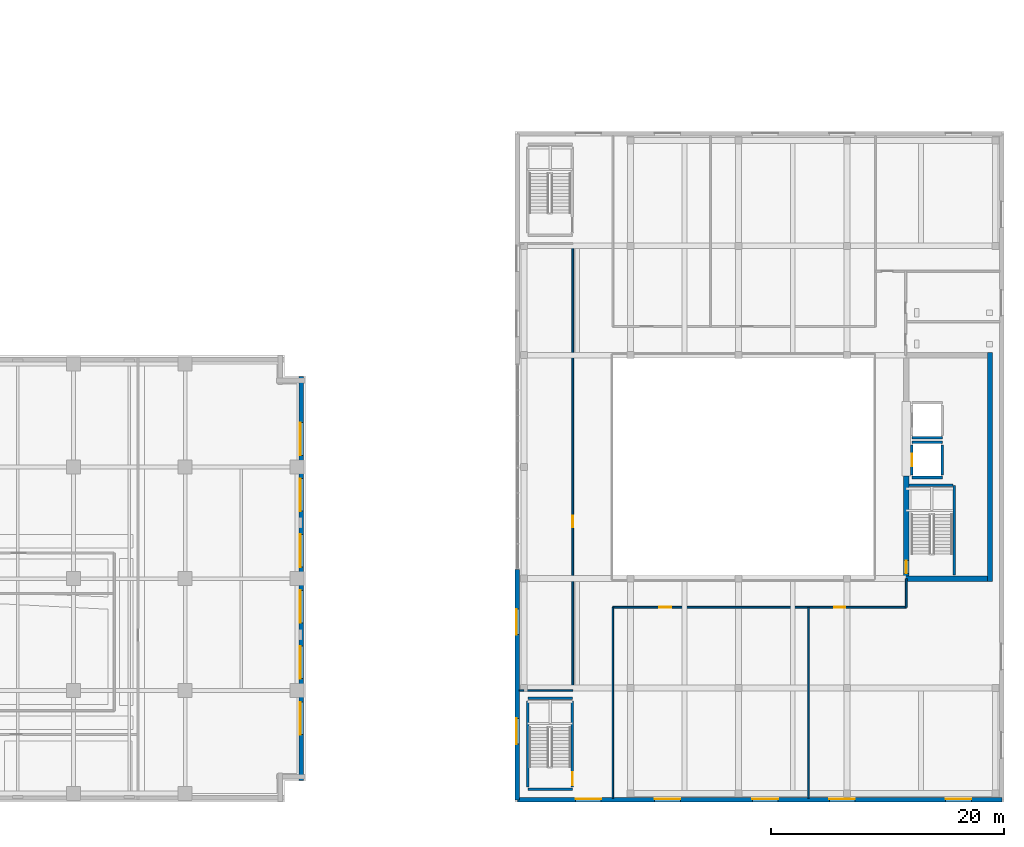
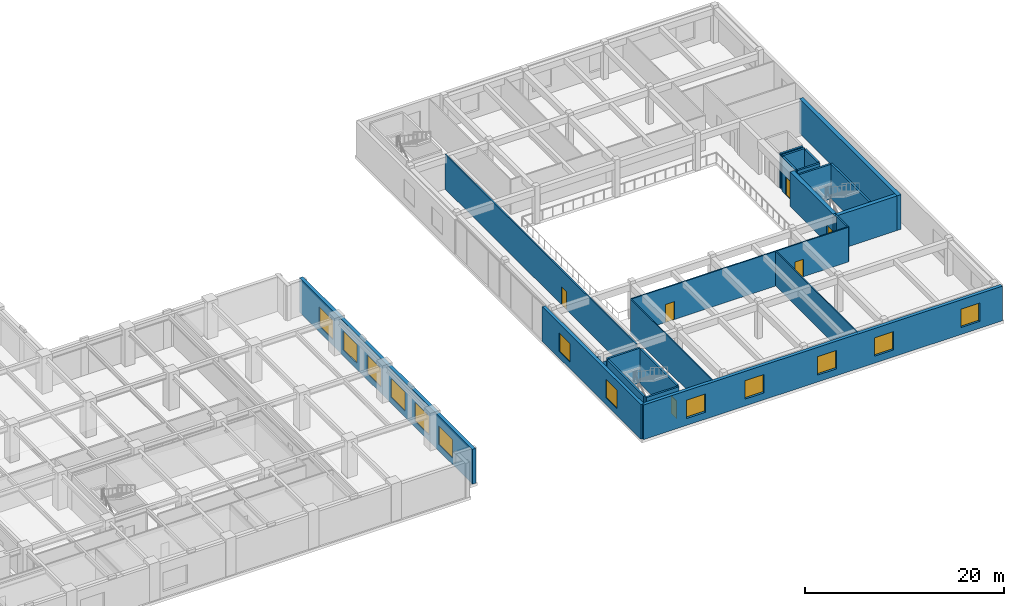
# One storey, part 9 of 24: 24 walls, 13 windows, 6 doors, 19 openings.
"""IFC4 building model written with IfcOpenShell, lengths in metres."""

from ifc_helpers import new_model, si_unit, direction, frame, frame_2d, origin, place, context, subcontext, project, spatial, rectangle, extrude, material, layer, layer_set, type_object, element, fill, save


model = new_model("IFC4")

# Units and contexts
model_context = context("Model", 3, precision=1e-05, world=origin(), true_north=direction((0.0, 1.0)))
body_context = subcontext(model_context, "Body", "Model", "MODEL_VIEW")
ifc_project = project(units=[si_unit("LENGTHUNIT", "METRE"), si_unit("AREAUNIT", "SQUARE_METRE"), si_unit("VOLUMEUNIT", "CUBIC_METRE"), si_unit("PLANEANGLEUNIT", "RADIAN"), si_unit("MASSUNIT", "GRAM", prefix="KILO")], contexts=[model_context])

# Site, building, storey
site_placement = place(None, origin())
site = spatial("IfcSite", under=ifc_project, at=site_placement, CompositionType="ELEMENT")
building_placement = place(site_placement, origin())
building = spatial("IfcBuilding", under=site, at=building_placement, Name="Norrvale University Quadrangle", CompositionType="ELEMENT")
storey_placement = place(building_placement, frame((0.0, 0.0, 10.39990234375)))
storey = spatial("IfcBuildingStorey", under=building, at=storey_placement, Name="L02", CompositionType="ELEMENT", Elevation=10.39990234375)

# Walls
ifc_material_1 = material(Name="Standard Academic Gypsum Partition")
ifc_layer_1 = layer(ifc_material_1, 0.125, Name="Standard Academic Gypsum Partition")
ifc_layer_set_1 = layer_set([ifc_layer_1], Name="Standard Academic Gypsum Partition")
wall_type_1 = type_object("IfcWallType", Name="Wall Gypsum Academic 125", PredefinedType="PARTITIONING", material=ifc_layer_set_1)
wall_1_placement = place(storey_placement, frame((85.550048828125, 9.60009765625, 0.0), z_axis=(0.0, 0.0, 1.0), x_axis=(1.0, 0.0, 0.0)))
element("IfcWall", 1, at=wall_1_placement, inside=storey, type_object=wall_type_1, Name="Interior Partition WL-L02-LWS", PredefinedType="PARTITIONING", context=body_context, shape_type="SweptSolid", body=[
    extrude(rectangle(XDim=0.39990234375, YDim=0.125, at=frame_2d((0.199951171875, 0.0))), origin(), (0.0, 0.0, 1.0), 4.25),
])
wall_2_placement = place(storey_placement, frame((85.949951171875, 9.60009765625, 0.0), z_axis=(0.0, 0.0, 1.0), x_axis=(1.0, 0.0, 0.0)))
element("IfcWall", 2, at=wall_2_placement, inside=storey, type_object=wall_type_1, Name="Interior Partition WL-L02-LWS-B2", PredefinedType="PARTITIONING", context=body_context, shape_type="SweptSolid", body=[
    extrude(rectangle(XDim=4.199951171875, YDim=0.125, at=frame_2d((2.10009765625, 0.0))), origin(), (0.0, 0.0, 1.0), 3.4501953125),
])
for number, where, z_axis, x_axis, name in (
    (3, (93.60009765625, 0.35009765625, 0.0), (0.0, 0.0, 1.0), (0.0, 1.0, 0.0), "Interior Partition WL-L02-LSS-W"),
    (4, (110.39990234375, 0.35009765625, 0.0), (0.0, 0.0, 1.0), (0.0, 1.0, 0.0), "Interior Partition WL-L02-LSS-M"),
):
    element("IfcWall", number, at=place(storey_placement, frame(where, z_axis=z_axis, x_axis=x_axis)), inside=storey, type_object=wall_type_1, Name=name, PredefinedType="PARTITIONING", context=body_context, shape_type="SweptSolid", body=[
        extrude(rectangle(XDim=16.389892578125, YDim=0.125, at=frame_2d((8.19482421875, 0.0))), origin(), (0.0, 0.0, 1.0), 4.25),
    ])

# Wall, opening, door
ifc_material_2 = material(Name="Fire-Rated Gypsum Stud Partition")
ifc_layer_2 = layer(ifc_material_2, 0.14990234375, Name="Fire-Rated Gypsum Stud Partition")
ifc_layer_set_2 = layer_set([ifc_layer_2], Name="Fire-Rated Gypsum Stud Partition")
wall_type_2 = type_object("IfcWallType", Name="Wall Gypsum Corridor 150", PredefinedType="PARTITIONING", material=ifc_layer_set_2)
wall_3_placement = place(storey_placement, frame((90.14990234375, 9.60009765625, 0.0), z_axis=(0.0, 0.0, 1.0), x_axis=(0.0, 1.0, 0.0)))
wall_3 = element("IfcWall", 5, at=wall_3_placement, inside=storey, type_object=wall_type_2, Name="Interior Partition WL-L02-LWE", PredefinedType="PARTITIONING", context=body_context, shape_type="SweptSolid", body=[
    extrude(rectangle(XDim=38.39990234375, YDim=0.14990234375, at=frame_2d((19.199951171875, 0.0))), origin(), (0.0, 0.0, 1.0), 4.25),
])
opening_1_placement = place(wall_3_placement, frame((14.0, 0.0, 0.0)))
opening_1 = element("IfcOpeningElement", 6, at=opening_1_placement, cuts=wall_3, Name="Opening D04", PredefinedType="OPENING", context=body_context, shape_type="SweptSolid", body=[
    extrude(rectangle(XDim=1.0, YDim=2.199951171875, at=frame_2d((0.5, 1.10009765625))), frame((0.0, 0.0869140625, 0.0), z_axis=(0.0, -1.0, 0.0), x_axis=(1.0, 0.0, 0.0)), (0.0, 0.0, 1.0), 0.173828125),
])
ifc_material_3 = material(Name="Solid-Core Oak Fire Door", Category="wood")
door_type_1 = type_object("IfcDoorType", Name="Door Corridor 1000x2200", OperationType="NOTDEFINED", PredefinedType="DOOR", material=ifc_material_3)
door_1_placement = place(opening_1_placement, origin())
door_1 = element("IfcDoor", 7, at=door_1_placement, inside=storey, type_object=door_type_1, Name="Door Corridor 1000x2200 DR-L02-LWCAR", OperationType="SINGLE_SWING_LEFT", OverallHeight=2.199951171875, OverallWidth=1.0, PredefinedType="DOOR", context=body_context, shape_type="SweptSolid", body=[
    extrude(rectangle(XDim=1.0, YDim=2.199951171875, at=frame_2d((0.5, 1.10009765625))), frame((0.0, 0.02490234375, 0.0), z_axis=(0.0, -1.0, 0.0), x_axis=(1.0, 0.0, 0.0)), (0.0, 0.0, 1.0), 0.050048828125),
])
fill(opening_1, door_1)

# Wall
wall_4_placement = place(storey_placement, frame((118.800048828125, 16.739990234375, 0.0), z_axis=(0.0, 0.0, 1.0), x_axis=(0.0, 1.0, 0.0)))
element("IfcWall", 8, at=wall_4_placement, inside=storey, type_object=wall_type_2, Name="Interior Partition WL-L02-LSS-E", PredefinedType="PARTITIONING", context=body_context, shape_type="SweptSolid", body=[
    extrude(rectangle(XDim=2.4599609375, YDim=0.14990234375, at=frame_2d((1.22998046875, 0.0))), origin(), (0.0, 0.0, 1.0), 4.25),
])

# Wall, openings, doors
wall_5_placement = place(storey_placement, frame((93.60009765625, 16.739990234375, 0.0), z_axis=(0.0, 0.0, 1.0), x_axis=(1.0, 0.0, 0.0)))
wall_5 = element("IfcWall", 9, at=wall_5_placement, inside=storey, type_object=wall_type_2, Name="Interior Partition WL-L02-LSS-N", PredefinedType="PARTITIONING", context=body_context, shape_type="SweptSolid", body=[
    extrude(rectangle(XDim=25.199951171875, YDim=0.14990234375, at=frame_2d((12.60009765625, 0.0))), origin(), (0.0, 0.0, 1.0), 4.25),
])
opening_2_placement = place(wall_5_placement, frame((4.0, 0.0, 0.0)))
opening_2 = element("IfcOpeningElement", 10, at=opening_2_placement, cuts=wall_5, Name="Opening D04", PredefinedType="OPENING", context=body_context, shape_type="SweptSolid", body=[
    extrude(rectangle(XDim=1.0, YDim=2.199951171875, at=frame_2d((0.5, 1.10009765625))), frame((0.0, 0.0869140625, 0.0), z_axis=(0.0, -1.0, 0.0), x_axis=(1.0, 0.0, 0.0)), (0.0, 0.0, 1.0), 0.173828125),
])
opening_3_placement = place(wall_5_placement, frame((19.0, 0.0, 0.0)))
opening_3 = element("IfcOpeningElement", 11, at=opening_3_placement, cuts=wall_5, Name="Opening D07", PredefinedType="OPENING", context=body_context, shape_type="SweptSolid", body=[
    extrude(rectangle(XDim=0.949951171875, YDim=2.14990234375, at=frame_2d((0.47509765625, 1.074951171875))), frame((0.0, 0.0869140625, 0.0), z_axis=(0.0, -1.0, 0.0), x_axis=(1.0, 0.0, 0.0)), (0.0, 0.0, 1.0), 0.173828125),
])
door_2_placement = place(opening_2_placement, origin())
door_2 = element("IfcDoor", 12, at=door_2_placement, inside=storey, type_object=door_type_1, Name="Door Corridor 1000x2200 DR-L02-LS1", OperationType="SINGLE_SWING_LEFT", OverallHeight=2.199951171875, OverallWidth=1.0, PredefinedType="DOOR", context=body_context, shape_type="SweptSolid", body=[
    extrude(rectangle(XDim=1.0, YDim=2.199951171875, at=frame_2d((0.5, 1.10009765625))), frame((0.0, 0.02490234375, 0.0), z_axis=(0.0, -1.0, 0.0), x_axis=(1.0, 0.0, 0.0)), (0.0, 0.0, 1.0), 0.050048828125),
])
fill(opening_2, door_2)
ifc_material_4 = material(Name="Solid-Core Maple Door", Category="wood")
door_type_2 = type_object("IfcDoorType", Name="Door Office 950x2150", OperationType="NOTDEFINED", PredefinedType="DOOR", material=ifc_material_4)
door_3_placement = place(opening_3_placement, origin())
door_3 = element("IfcDoor", 13, at=door_3_placement, inside=storey, type_object=door_type_2, Name="Door Office 950x2150 DR-L02-LS2", OperationType="SINGLE_SWING_RIGHT", OverallHeight=2.14990234375, OverallWidth=0.949951171875, PredefinedType="DOOR", context=body_context, shape_type="SweptSolid", body=[
    extrude(rectangle(XDim=0.949951171875, YDim=2.14990234375, at=frame_2d((0.47509765625, 1.074951171875))), frame((0.0, 0.02490234375, 0.0), z_axis=(0.0, -1.0, 0.0), x_axis=(1.0, 0.0, 0.0)), (0.0, 0.0, 1.0), 0.050048828125),
])
fill(opening_3, door_3)

# Wall, openings, windows
ifc_material_5 = material(Name="Buff Norman Clay Brick Masonry", Category="masonry")
ifc_layer_3 = layer(ifc_material_5, 0.3798828125, Name="Buff Norman Clay Brick Masonry")
ifc_layer_set_3 = layer_set([ifc_layer_3], Name="Buff Norman Clay Brick Masonry")
wall_type_3 = type_object("IfcWallType", Name="Wall Lib Brick 380", PredefinedType="SOLIDWALL", material=ifc_layer_set_3)
wall_6_placement = place(storey_placement, frame((85.389892578125, 0.18994140625, 0.0), z_axis=(0.0, 0.0, 1.0), x_axis=(1.0, 0.0, 0.0)))
wall_6 = element("IfcWall", 14, at=wall_6_placement, inside=storey, type_object=wall_type_3, Name="Central Library South Brick Facade L02", PredefinedType="SOLIDWALL", context=body_context, shape_type="SweptSolid", body=[
    extrude(rectangle(XDim=41.6201171875, YDim=0.3798828125, at=frame_2d((20.81005859375, 0.0))), origin(), (0.0, 0.0, 1.0), 4.25),
])
opening_4_placement = place(wall_6_placement, frame((5.0, 0.0, 0.85009765625)))
opening_4 = element("IfcOpeningElement", 15, at=opening_4_placement, cuts=wall_6, Name="Opening W06", PredefinedType="OPENING", context=body_context, shape_type="SweptSolid", body=[
    extrude(rectangle(XDim=2.199951171875, YDim=2.25, at=frame_2d((1.10009765625, 1.125))), frame((0.0, 0.201904296875, 0.0), z_axis=(0.0, -1.0, 0.0), x_axis=(1.0, 0.0, 0.0)), (0.0, 0.0, 1.0), 0.40380859375),
])
opening_5_placement = place(wall_6_placement, frame((11.800048828125, 0.0, 0.85009765625)))
opening_5 = element("IfcOpeningElement", 16, at=opening_5_placement, cuts=wall_6, Name="Opening W06", PredefinedType="OPENING", context=body_context, shape_type="SweptSolid", body=[
    extrude(rectangle(XDim=2.199951171875, YDim=2.25, at=frame_2d((1.10009765625, 1.125))), frame((0.0, 0.201904296875, 0.0), z_axis=(0.0, -1.0, 0.0), x_axis=(1.0, 0.0, 0.0)), (0.0, 0.0, 1.0), 0.40380859375),
])
opening_6_placement = place(wall_6_placement, frame((20.199951171875, 0.0, 0.85009765625)))
opening_6 = element("IfcOpeningElement", 17, at=opening_6_placement, cuts=wall_6, Name="Opening W06", PredefinedType="OPENING", context=body_context, shape_type="SweptSolid", body=[
    extrude(rectangle(XDim=2.199951171875, YDim=2.25, at=frame_2d((1.10009765625, 1.125))), frame((0.0, 0.201904296875, 0.0), z_axis=(0.0, -1.0, 0.0), x_axis=(1.0, 0.0, 0.0)), (0.0, 0.0, 1.0), 0.40380859375),
])
opening_7_placement = place(wall_6_placement, frame((26.800048828125, 0.0, 0.85009765625)))
opening_7 = element("IfcOpeningElement", 18, at=opening_7_placement, cuts=wall_6, Name="Opening W06", PredefinedType="OPENING", context=body_context, shape_type="SweptSolid", body=[
    extrude(rectangle(XDim=2.199951171875, YDim=2.25, at=frame_2d((1.10009765625, 1.125))), frame((0.0, 0.201904296875, 0.0), z_axis=(0.0, -1.0, 0.0), x_axis=(1.0, 0.0, 0.0)), (0.0, 0.0, 1.0), 0.40380859375),
])
opening_8_placement = place(wall_6_placement, frame((36.800048828125, 0.0, 0.85009765625)))
opening_8 = element("IfcOpeningElement", 19, at=opening_8_placement, cuts=wall_6, Name="Opening W06", PredefinedType="OPENING", context=body_context, shape_type="SweptSolid", body=[
    extrude(rectangle(XDim=2.199951171875, YDim=2.25, at=frame_2d((1.10009765625, 1.125))), frame((0.0, 0.201904296875, 0.0), z_axis=(0.0, -1.0, 0.0), x_axis=(1.0, 0.0, 0.0)), (0.0, 0.0, 1.0), 0.40380859375),
])
ifc_material_6 = material(Name="Bird-Friendly Fritted Triple Glazing", Category="glass")
window_type_1 = type_object("IfcWindowType", Name="Window Library 2200x2600", PartitioningType="DOUBLE_PANEL_VERTICAL", PredefinedType="WINDOW", material=ifc_material_6)
window_1_placement = place(opening_4_placement, origin())
window_1 = element("IfcWindow", 20, at=window_1_placement, inside=storey, type_object=window_type_1, Name="Window Library 2200x2600 WIN-L02-LS-01", OverallHeight=2.25, OverallWidth=2.199951171875, PartitioningType="DOUBLE_PANEL_VERTICAL", PredefinedType="WINDOW", context=body_context, shape_type="SweptSolid", body=[
    extrude(rectangle(XDim=2.199951171875, YDim=2.25, at=frame_2d((1.10009765625, 1.125))), frame((0.0, 0.110107421875, 0.0), z_axis=(0.0, -1.0, 0.0), x_axis=(1.0, 0.0, 0.0)), (0.0, 0.0, 1.0), 0.06005859375),
])
fill(opening_4, window_1)
window_2_placement = place(opening_5_placement, origin())
window_2 = element("IfcWindow", 21, at=window_2_placement, inside=storey, type_object=window_type_1, Name="Window Library 2200x2600 WIN-L02-LS-02", OverallHeight=2.25, OverallWidth=2.199951171875, PartitioningType="DOUBLE_PANEL_VERTICAL", PredefinedType="WINDOW", context=body_context, shape_type="SweptSolid", body=[
    extrude(rectangle(XDim=2.199951171875, YDim=2.25, at=frame_2d((1.10009765625, 1.125))), frame((0.0, 0.110107421875, 0.0), z_axis=(0.0, -1.0, 0.0), x_axis=(1.0, 0.0, 0.0)), (0.0, 0.0, 1.0), 0.06005859375),
])
fill(opening_5, window_2)
window_3_placement = place(opening_6_placement, origin())
window_3 = element("IfcWindow", 22, at=window_3_placement, inside=storey, type_object=window_type_1, Name="Window Library 2200x2600 WIN-L02-LS-03", OverallHeight=2.25, OverallWidth=2.199951171875, PartitioningType="DOUBLE_PANEL_VERTICAL", PredefinedType="WINDOW", context=body_context, shape_type="SweptSolid", body=[
    extrude(rectangle(XDim=2.199951171875, YDim=2.25, at=frame_2d((1.10009765625, 1.125))), frame((0.0, 0.110107421875, 0.0), z_axis=(0.0, -1.0, 0.0), x_axis=(1.0, 0.0, 0.0)), (0.0, 0.0, 1.0), 0.06005859375),
])
fill(opening_6, window_3)
window_4_placement = place(opening_7_placement, origin())
window_4 = element("IfcWindow", 23, at=window_4_placement, inside=storey, type_object=window_type_1, Name="Window Library 2200x2600 WIN-L02-LS-04", OverallHeight=2.25, OverallWidth=2.199951171875, PartitioningType="DOUBLE_PANEL_VERTICAL", PredefinedType="WINDOW", context=body_context, shape_type="SweptSolid", body=[
    extrude(rectangle(XDim=2.199951171875, YDim=2.25, at=frame_2d((1.10009765625, 1.125))), frame((0.0, 0.110107421875, 0.0), z_axis=(0.0, -1.0, 0.0), x_axis=(1.0, 0.0, 0.0)), (0.0, 0.0, 1.0), 0.06005859375),
])
fill(opening_7, window_4)
window_5_placement = place(opening_8_placement, origin())
window_5 = element("IfcWindow", 24, at=window_5_placement, inside=storey, type_object=window_type_1, Name="Window Library 2200x2600 WIN-L02-LS-05", OverallHeight=2.25, OverallWidth=2.199951171875, PartitioningType="DOUBLE_PANEL_VERTICAL", PredefinedType="WINDOW", context=body_context, shape_type="SweptSolid", body=[
    extrude(rectangle(XDim=2.199951171875, YDim=2.25, at=frame_2d((1.10009765625, 1.125))), frame((0.0, 0.110107421875, 0.0), z_axis=(0.0, -1.0, 0.0), x_axis=(1.0, 0.0, 0.0)), (0.0, 0.0, 1.0), 0.06005859375),
])
fill(opening_8, window_5)

wall_7_placement = place(storey_placement, frame((85.389892578125, 0.18994140625, 0.0), z_axis=(0.0, 0.0, 1.0), x_axis=(0.0, 1.0, 0.0)))
wall_7 = element("IfcWall", 25, at=wall_7_placement, inside=storey, type_object=wall_type_3, Name="Library West Brick Wall South L02", PredefinedType="SOLIDWALL", context=body_context, shape_type="SweptSolid", body=[
    extrude(rectangle(XDim=19.81005859375, YDim=0.3798828125, at=frame_2d((9.905029296875, 0.0))), origin(), (0.0, 0.0, 1.0), 4.25),
])
opening_9_placement = place(wall_7_placement, frame((4.800048828125, 0.0, 0.85009765625)))
opening_9 = element("IfcOpeningElement", 26, at=opening_9_placement, cuts=wall_7, Name="Opening W06", PredefinedType="OPENING", context=body_context, shape_type="SweptSolid", body=[
    extrude(rectangle(XDim=2.199951171875, YDim=2.25, at=frame_2d((1.10009765625, 1.125))), frame((0.0, 0.201904296875, 0.0), z_axis=(0.0, -1.0, 0.0), x_axis=(1.0, 0.0, 0.0)), (0.0, 0.0, 1.0), 0.40380859375),
])
opening_10_placement = place(wall_7_placement, frame((14.199951171875, 0.0, 0.85009765625)))
opening_10 = element("IfcOpeningElement", 27, at=opening_10_placement, cuts=wall_7, Name="Opening W06", PredefinedType="OPENING", context=body_context, shape_type="SweptSolid", body=[
    extrude(rectangle(XDim=2.199951171875, YDim=2.25, at=frame_2d((1.10009765625, 1.125))), frame((0.0, 0.201904296875, 0.0), z_axis=(0.0, -1.0, 0.0), x_axis=(1.0, 0.0, 0.0)), (0.0, 0.0, 1.0), 0.40380859375),
])
window_6_placement = place(opening_9_placement, origin())
window_6 = element("IfcWindow", 28, at=window_6_placement, inside=storey, type_object=window_type_1, Name="Window Library 2200x2600 WIN-L02-LW1-1", OverallHeight=2.25, OverallWidth=2.199951171875, PartitioningType="DOUBLE_PANEL_VERTICAL", PredefinedType="WINDOW", context=body_context, shape_type="SweptSolid", body=[
    extrude(rectangle(XDim=2.199951171875, YDim=2.25, at=frame_2d((1.10009765625, 1.125))), frame((0.0, 0.110107421875, 0.0), z_axis=(0.0, -1.0, 0.0), x_axis=(1.0, 0.0, 0.0)), (0.0, 0.0, 1.0), 0.06005859375),
])
fill(opening_9, window_6)
window_7_placement = place(opening_10_placement, origin())
window_7 = element("IfcWindow", 29, at=window_7_placement, inside=storey, type_object=window_type_1, Name="Window Library 2200x2600 WIN-L02-LW1-2", OverallHeight=2.25, OverallWidth=2.199951171875, PartitioningType="DOUBLE_PANEL_VERTICAL", PredefinedType="WINDOW", context=body_context, shape_type="SweptSolid", body=[
    extrude(rectangle(XDim=2.199951171875, YDim=2.25, at=frame_2d((1.10009765625, 1.125))), frame((0.0, 0.110107421875, 0.0), z_axis=(0.0, -1.0, 0.0), x_axis=(1.0, 0.0, 0.0)), (0.0, 0.0, 1.0), 0.06005859375),
])
fill(opening_10, window_7)

# Walls
ifc_material_7 = material(Name="Concrete C60/75", Category="concrete")
ifc_layer_4 = layer(ifc_material_7, 0.449951171875, Name="Concrete C60/75")
ifc_layer_set_4 = layer_set([ifc_layer_4], Name="Concrete C60/75")
wall_type_4 = type_object("IfcWallType", Name="Wall Lib Core 450", PredefinedType="SHEAR", material=ifc_layer_set_4)
wall_8_placement = place(storey_placement, frame((118.574951171875, 19.199951171875, 0.0), z_axis=(0.0, 0.0, 1.0), x_axis=(1.0, 0.0, 0.0)))
element("IfcWall", 30, at=wall_8_placement, inside=storey, type_object=wall_type_4, Name="Library Core Shear Wall L02-S", PredefinedType="SHEAR", context=body_context, shape_type="SweptSolid", body=[
    extrude(rectangle(XDim=7.199951171875, YDim=0.449951171875, at=frame_2d((3.60009765625, 0.0))), origin(), (0.0, 0.0, 1.0), 4.25),
])
wall_9_placement = place(storey_placement, frame((126.0, 18.97509765625, 0.0), z_axis=(0.0, 0.0, 1.0), x_axis=(0.0, 1.0, 0.0)))
element("IfcWall", 31, at=wall_9_placement, inside=storey, type_object=wall_type_4, Name="Library Core Shear Wall L02-E", PredefinedType="SHEAR", context=body_context, shape_type="SweptSolid", body=[
    extrude(rectangle(XDim=19.64990234375, YDim=0.449951171875, at=frame_2d((9.824951171875, 0.0))), origin(), (0.0, 0.0, 1.0), 4.25),
])

# Wall, opening, door
wall_10_placement = place(storey_placement, frame((118.800048828125, 19.425048828125, 0.0), z_axis=(0.0, 0.0, 1.0), x_axis=(0.0, 1.0, 0.0)))
wall_10 = element("IfcWall", 32, at=wall_10_placement, inside=storey, type_object=wall_type_4, Name="Library Core Shear Wall L02-W1", PredefinedType="SHEAR", context=body_context, shape_type="SweptSolid", body=[
    extrude(rectangle(XDim=8.574951171875, YDim=0.449951171875, at=frame_2d((4.28759765625, 0.0))), origin(), (0.0, 0.0, 1.0), 4.25),
])
opening_11_placement = place(wall_10_placement, frame((0.219970703125, 0.0, 0.0)))
opening_11 = element("IfcOpeningElement", 33, at=opening_11_placement, cuts=wall_10, Name="Opening D02", PredefinedType="OPENING", context=body_context, shape_type="SweptSolid", body=[
    extrude(rectangle(XDim=1.10009765625, YDim=2.199951171875, at=frame_2d((0.550048828125, 1.10009765625))), frame((0.0, 0.237060546875, 0.0), z_axis=(0.0, -1.0, 0.0), x_axis=(1.0, 0.0, 0.0)), (0.0, 0.0, 1.0), 0.473876953125),
])
ifc_material_8 = material(Name="Hollow Steel 350W Fire Door", Category="steel")
door_type_3 = type_object("IfcDoorType", Name="Door Stair Exit 1100x2200", OperationType="NOTDEFINED", PredefinedType="DOOR", material=ifc_material_8)
door_4_placement = place(opening_11_placement, frame((1.10009765625, 0.0, 0.0), z_axis=(0.0, 0.0, 1.0), x_axis=(-1.0, 0.0, 0.0)))
door_4 = element("IfcDoor", 34, at=door_4_placement, inside=storey, type_object=door_type_3, Name="Door Stair Exit 1100x2200 DR-L02-STL1", OperationType="SINGLE_SWING_LEFT", OverallHeight=2.199951171875, OverallWidth=1.10009765625, PredefinedType="DOOR", context=body_context, shape_type="SweptSolid", body=[
    extrude(rectangle(XDim=1.10009765625, YDim=2.199951171875, at=frame_2d((0.550048828125, 1.10009765625))), frame((0.0, 0.02490234375, 0.0), z_axis=(0.0, -1.0, 0.0), x_axis=(1.0, 0.0, 0.0)), (0.0, 0.0, 1.0), 0.050048828125),
])
fill(opening_11, door_4)

# Wall, openings, windows
ifc_material_9 = material(Name="Red Manganese Brick Masonry", Category="masonry")
ifc_layer_5 = layer(ifc_material_9, 0.39990234375, Name="Red Manganese Brick Masonry")
ifc_layer_set_5 = layer_set([ifc_layer_5], Name="Red Manganese Brick Masonry")
wall_type_5 = type_object("IfcWallType", Name="Wall Red Brick 400", PredefinedType="SOLIDWALL", material=ifc_layer_set_5)
wall_11_placement = place(storey_placement, frame((66.820068359375, 1.840087890625, 0.0), z_axis=(0.0, 0.0, 1.0), x_axis=(0.0, 1.0, 0.0)))
wall_11 = element("IfcWall", 35, at=wall_11_placement, inside=storey, type_object=wall_type_5, Name="Exterior Brick Facade Wall L02-04.1", PredefinedType="SOLIDWALL", context=body_context, shape_type="SweptSolid", body=[
    extrude(rectangle(XDim=34.719970703125, YDim=0.39990234375, at=frame_2d((17.35986328125, 0.0))), origin(), (0.0, 0.0, 1.0), 4.260009765625),
])
opening_12_placement = place(wall_11_placement, frame((3.9599609375, 0.0, 0.75)))
opening_12 = element("IfcOpeningElement", 36, at=opening_12_placement, cuts=wall_11, Name="Opening W05", PredefinedType="OPENING", context=body_context, shape_type="SweptSolid", body=[
    extrude(rectangle(XDim=2.800048828125, YDim=2.300048828125, at=frame_2d((1.39990234375, 1.14990234375))), frame((0.0, 0.2119140625, 0.0), z_axis=(0.0, -1.0, 0.0), x_axis=(1.0, 0.0, 0.0)), (0.0, 0.0, 1.0), 0.423828125),
])
opening_13_placement = place(wall_11_placement, frame((8.760009765625, 0.0, 0.75)))
opening_13 = element("IfcOpeningElement", 37, at=opening_13_placement, cuts=wall_11, Name="Opening W05", PredefinedType="OPENING", context=body_context, shape_type="SweptSolid", body=[
    extrude(rectangle(XDim=2.800048828125, YDim=2.300048828125, at=frame_2d((1.39990234375, 1.14990234375))), frame((0.0, 0.2119140625, 0.0), z_axis=(0.0, -1.0, 0.0), x_axis=(1.0, 0.0, 0.0)), (0.0, 0.0, 1.0), 0.423828125),
])
opening_14_placement = place(wall_11_placement, frame((13.56005859375, 0.0, 0.75)))
opening_14 = element("IfcOpeningElement", 38, at=opening_14_placement, cuts=wall_11, Name="Opening W05", PredefinedType="OPENING", context=body_context, shape_type="SweptSolid", body=[
    extrude(rectangle(XDim=2.800048828125, YDim=2.300048828125, at=frame_2d((1.39990234375, 1.14990234375))), frame((0.0, 0.2119140625, 0.0), z_axis=(0.0, -1.0, 0.0), x_axis=(1.0, 0.0, 0.0)), (0.0, 0.0, 1.0), 0.423828125),
])
opening_15_placement = place(wall_11_placement, frame((18.360107421875, 0.0, 0.75)))
opening_15 = element("IfcOpeningElement", 39, at=opening_15_placement, cuts=wall_11, Name="Opening W05", PredefinedType="OPENING", context=body_context, shape_type="SweptSolid", body=[
    extrude(rectangle(XDim=2.800048828125, YDim=2.300048828125, at=frame_2d((1.39990234375, 1.14990234375))), frame((0.0, 0.2119140625, 0.0), z_axis=(0.0, -1.0, 0.0), x_axis=(1.0, 0.0, 0.0)), (0.0, 0.0, 1.0), 0.423828125),
])
opening_16_placement = place(wall_11_placement, frame((23.159912109375, 0.0, 0.75)))
opening_16 = element("IfcOpeningElement", 40, at=opening_16_placement, cuts=wall_11, Name="Opening W05", PredefinedType="OPENING", context=body_context, shape_type="SweptSolid", body=[
    extrude(rectangle(XDim=2.800048828125, YDim=2.300048828125, at=frame_2d((1.39990234375, 1.14990234375))), frame((0.0, 0.2119140625, 0.0), z_axis=(0.0, -1.0, 0.0), x_axis=(1.0, 0.0, 0.0)), (0.0, 0.0, 1.0), 0.423828125),
])
opening_17_placement = place(wall_11_placement, frame((27.9599609375, 0.0, 0.75)))
opening_17 = element("IfcOpeningElement", 41, at=opening_17_placement, cuts=wall_11, Name="Opening W05", PredefinedType="OPENING", context=body_context, shape_type="SweptSolid", body=[
    extrude(rectangle(XDim=2.800048828125, YDim=2.300048828125, at=frame_2d((1.39990234375, 1.14990234375))), frame((0.0, 0.2119140625, 0.0), z_axis=(0.0, -1.0, 0.0), x_axis=(1.0, 0.0, 0.0)), (0.0, 0.0, 1.0), 0.423828125),
])
window_type_2 = type_object("IfcWindowType", Name="Window Podium 2800x2800", PartitioningType="TRIPLE_PANEL_VERTICAL", PredefinedType="WINDOW", material=ifc_material_6)
window_8_placement = place(opening_12_placement, origin())
window_8 = element("IfcWindow", 42, at=window_8_placement, inside=storey, type_object=window_type_2, Name="Window Podium 2800x2800 WIN-L02-E04-1-01", OverallHeight=2.300048828125, OverallWidth=2.800048828125, PartitioningType="TRIPLE_PANEL_VERTICAL", PredefinedType="WINDOW", context=body_context, shape_type="SweptSolid", body=[
    extrude(rectangle(XDim=2.800048828125, YDim=2.300048828125, at=frame_2d((1.39990234375, 1.14990234375))), frame((0.0, 0.110107421875, 0.0), z_axis=(0.0, -1.0, 0.0), x_axis=(1.0, 0.0, 0.0)), (0.0, 0.0, 1.0), 0.06005859375),
])
fill(opening_12, window_8)
window_9_placement = place(opening_13_placement, origin())
window_9 = element("IfcWindow", 43, at=window_9_placement, inside=storey, type_object=window_type_2, Name="Window Podium 2800x2800 WIN-L02-E04-1-02", OverallHeight=2.300048828125, OverallWidth=2.800048828125, PartitioningType="TRIPLE_PANEL_VERTICAL", PredefinedType="WINDOW", context=body_context, shape_type="SweptSolid", body=[
    extrude(rectangle(XDim=2.800048828125, YDim=2.300048828125, at=frame_2d((1.39990234375, 1.14990234375))), frame((0.0, 0.110107421875, 0.0), z_axis=(0.0, -1.0, 0.0), x_axis=(1.0, 0.0, 0.0)), (0.0, 0.0, 1.0), 0.06005859375),
])
fill(opening_13, window_9)
window_10_placement = place(opening_14_placement, origin())
window_10 = element("IfcWindow", 44, at=window_10_placement, inside=storey, type_object=window_type_2, Name="Window Podium 2800x2800 WIN-L02-E04-1-03", OverallHeight=2.300048828125, OverallWidth=2.800048828125, PartitioningType="TRIPLE_PANEL_VERTICAL", PredefinedType="WINDOW", context=body_context, shape_type="SweptSolid", body=[
    extrude(rectangle(XDim=2.800048828125, YDim=2.300048828125, at=frame_2d((1.39990234375, 1.14990234375))), frame((0.0, 0.110107421875, 0.0), z_axis=(0.0, -1.0, 0.0), x_axis=(1.0, 0.0, 0.0)), (0.0, 0.0, 1.0), 0.06005859375),
])
fill(opening_14, window_10)
window_11_placement = place(opening_15_placement, origin())
window_11 = element("IfcWindow", 45, at=window_11_placement, inside=storey, type_object=window_type_2, Name="Window Podium 2800x2800 WIN-L02-E04-1-04", OverallHeight=2.300048828125, OverallWidth=2.800048828125, PartitioningType="TRIPLE_PANEL_VERTICAL", PredefinedType="WINDOW", context=body_context, shape_type="SweptSolid", body=[
    extrude(rectangle(XDim=2.800048828125, YDim=2.300048828125, at=frame_2d((1.39990234375, 1.14990234375))), frame((0.0, 0.110107421875, 0.0), z_axis=(0.0, -1.0, 0.0), x_axis=(1.0, 0.0, 0.0)), (0.0, 0.0, 1.0), 0.06005859375),
])
fill(opening_15, window_11)
window_12_placement = place(opening_16_placement, origin())
window_12 = element("IfcWindow", 46, at=window_12_placement, inside=storey, type_object=window_type_2, Name="Window Podium 2800x2800 WIN-L02-E04-1-05", OverallHeight=2.300048828125, OverallWidth=2.800048828125, PartitioningType="TRIPLE_PANEL_VERTICAL", PredefinedType="WINDOW", context=body_context, shape_type="SweptSolid", body=[
    extrude(rectangle(XDim=2.800048828125, YDim=2.300048828125, at=frame_2d((1.39990234375, 1.14990234375))), frame((0.0, 0.110107421875, 0.0), z_axis=(0.0, -1.0, 0.0), x_axis=(1.0, 0.0, 0.0)), (0.0, 0.0, 1.0), 0.06005859375),
])
fill(opening_16, window_12)
window_13_placement = place(opening_17_placement, origin())
window_13 = element("IfcWindow", 47, at=window_13_placement, inside=storey, type_object=window_type_2, Name="Window Podium 2800x2800 WIN-L02-E04-1-06", OverallHeight=2.300048828125, OverallWidth=2.800048828125, PartitioningType="TRIPLE_PANEL_VERTICAL", PredefinedType="WINDOW", context=body_context, shape_type="SweptSolid", body=[
    extrude(rectangle(XDim=2.800048828125, YDim=2.300048828125, at=frame_2d((1.39990234375, 1.14990234375))), frame((0.0, 0.110107421875, 0.0), z_axis=(0.0, -1.0, 0.0), x_axis=(1.0, 0.0, 0.0)), (0.0, 0.0, 1.0), 0.06005859375),
])
fill(opening_17, window_13)

# Walls
ifc_material_10 = material(Name="Concrete Blockwork 20 MPa Fire Shaft", Category="masonry")
ifc_layer_6 = layer(ifc_material_10, 0.219970703125, Name="Concrete Blockwork 20 MPa Fire Shaft")
ifc_layer_set_6 = layer_set([ifc_layer_6], Name="Concrete Blockwork 20 MPa Fire Shaft")
wall_type_6 = type_object("IfcWallType", Name="Wall Shaft 220", PredefinedType="SOLIDWALL", material=ifc_layer_set_6)
wall_12_placement = place(storey_placement, frame((122.909912109375, 19.5, 0.0), z_axis=(0.0, 0.0, 1.0), x_axis=(0.0, 1.0, 0.0)))
element("IfcWall", 48, at=wall_12_placement, inside=storey, type_object=wall_type_6, Name="Library Stair ST-L1 East Wall L02", PredefinedType="SOLIDWALL", context=body_context, shape_type="SweptSolid", body=[
    extrude(rectangle(XDim=7.7099609375, YDim=0.219970703125, at=frame_2d((3.85498046875, 0.0))), origin(), (0.0, 0.0, 1.0), 4.25),
])
wall_13_placement = place(storey_placement, frame((119.050048828125, 27.2099609375, 0.0), z_axis=(0.0, 0.0, 1.0), x_axis=(1.0, 0.0, 0.0)))
element("IfcWall", 49, at=wall_13_placement, inside=storey, type_object=wall_type_6, Name="Library Stair ST-L1 North Wall L02", PredefinedType="SOLIDWALL", context=body_context, shape_type="SweptSolid", body=[
    extrude(rectangle(XDim=3.75, YDim=0.219970703125, at=frame_2d((1.875, 0.0))), origin(), (0.0, 0.0, 1.0), 4.25),
])
wall_14_placement = place(storey_placement, frame((86.2900390625, 1.31005859375, 0.0), z_axis=(0.0, 0.0, 1.0), x_axis=(0.0, 1.0, 0.0)))
element("IfcWall", 50, at=wall_14_placement, inside=storey, type_object=wall_type_6, Name="Library Stair ST-L2 West Wall L02", PredefinedType="SOLIDWALL", context=body_context, shape_type="SweptSolid", body=[
    extrude(rectangle(XDim=7.3798828125, YDim=0.219970703125, at=frame_2d((3.68994140625, 0.0))), origin(), (0.0, 0.0, 1.0), 4.25),
])
for number, where, z_axis, x_axis, name in (
    (51, (86.2900390625, 1.090087890625, 0.0), (0.0, 0.0, 1.0), (1.0, 0.0, 0.0), "Library Stair ST-L2 South Wall L02"),
    (52, (86.2900390625, 8.909912109375, 0.0), (0.0, 0.0, 1.0), (1.0, 0.0, 0.0), "Library Stair ST-L2 North Wall L02"),
):
    element("IfcWall", number, at=place(storey_placement, frame(where, z_axis=z_axis, x_axis=x_axis)), inside=storey, type_object=wall_type_6, Name=name, PredefinedType="SOLIDWALL", context=body_context, shape_type="SweptSolid", body=[
        extrude(rectangle(XDim=3.820068359375, YDim=0.219970703125, at=frame_2d((1.91015625, 0.0))), origin(), (0.0, 0.0, 1.0), 4.25),
    ])

# Wall, opening, door
wall_15_placement = place(storey_placement, frame((90.110107421875, 1.31005859375, 0.0), z_axis=(0.0, 0.0, 1.0), x_axis=(0.0, 1.0, 0.0)))
wall_15 = element("IfcWall", 53, at=wall_15_placement, inside=storey, type_object=wall_type_6, Name="Library Stair ST-L2 East Wall L02", PredefinedType="SOLIDWALL", context=body_context, shape_type="SweptSolid", body=[
    extrude(rectangle(XDim=7.3798828125, YDim=0.219970703125, at=frame_2d((3.68994140625, 0.0))), origin(), (0.0, 0.0, 1.0), 4.25),
])
opening_18_placement = place(wall_15_placement, frame((0.139892578125, 0.0, 0.0)))
opening_18 = element("IfcOpeningElement", 54, at=opening_18_placement, cuts=wall_15, Name="Opening D02", PredefinedType="OPENING", context=body_context, shape_type="SweptSolid", body=[
    extrude(rectangle(XDim=1.10009765625, YDim=2.199951171875, at=frame_2d((0.550048828125, 1.10009765625))), frame((0.0, 0.1220703125, 0.0), z_axis=(0.0, -1.0, 0.0), x_axis=(1.0, 0.0, 0.0)), (0.0, 0.0, 1.0), 0.243896484375),
])
door_5_placement = place(opening_18_placement, origin())
door_5 = element("IfcDoor", 55, at=door_5_placement, inside=storey, type_object=door_type_3, Name="Door Stair Exit 1100x2200 DR-L02-ST-L2", OperationType="SINGLE_SWING_RIGHT", OverallHeight=2.199951171875, OverallWidth=1.10009765625, PredefinedType="DOOR", context=body_context, shape_type="SweptSolid", body=[
    extrude(rectangle(XDim=1.10009765625, YDim=2.199951171875, at=frame_2d((0.550048828125, 1.10009765625))), frame((0.0, 0.02490234375, 0.0), z_axis=(0.0, -1.0, 0.0), x_axis=(1.0, 0.0, 0.0)), (0.0, 0.0, 1.0), 0.050048828125),
])
fill(opening_18, door_5)

wall_16_placement = place(storey_placement, frame((119.2900390625, 28.110107421875, 0.0), z_axis=(0.0, 0.0, 1.0), x_axis=(0.0, 1.0, 0.0)))
wall_16 = element("IfcWall", 56, at=wall_16_placement, inside=storey, type_object=wall_type_6, Name="Hoistway LL-01 West Wall L02", PredefinedType="SOLIDWALL", context=body_context, shape_type="SweptSolid", body=[
    extrude(rectangle(XDim=2.579833984375, YDim=0.219970703125, at=frame_2d((1.2900390625, 0.0))), origin(), (0.0, 0.0, 1.0), 4.25),
])
opening_19_placement = place(wall_16_placement, frame((0.739990234375, 0.0, 0.0)))
opening_19 = element("IfcOpeningElement", 57, at=opening_19_placement, cuts=wall_16, Name="Opening LD1", PredefinedType="OPENING", context=body_context, shape_type="SweptSolid", body=[
    extrude(rectangle(XDim=1.10009765625, YDim=2.199951171875, at=frame_2d((0.550048828125, 1.10009765625))), frame((0.0, 0.1220703125, 0.0), z_axis=(0.0, -1.0, 0.0), x_axis=(1.0, 0.0, 0.0)), (0.0, 0.0, 1.0), 0.243896484375),
])
ifc_material_11 = material(Name="Stainless Steel 316L Lift Landing Door", Category="steel")
door_type_4 = type_object("IfcDoorType", Name="Door Lift Landing 1100x2200", OperationType="DOUBLE_DOOR_SLIDING", PredefinedType="DOOR", material=ifc_material_11)
door_6_placement = place(opening_19_placement, origin())
door_6 = element("IfcDoor", 58, at=door_6_placement, inside=storey, type_object=door_type_4, Name="Elevator Landing Door DR-L02-LL-01", OperationType="DOUBLE_DOOR_SLIDING", OverallHeight=2.199951171875, OverallWidth=1.10009765625, PredefinedType="DOOR", context=body_context, shape_type="SweptSolid", body=[
    extrude(rectangle(XDim=1.10009765625, YDim=2.199951171875, at=frame_2d((0.550048828125, 1.10009765625))), frame((0.0, 0.02490234375, 0.0), z_axis=(0.0, -1.0, 0.0), x_axis=(1.0, 0.0, 0.0)), (0.0, 0.0, 1.0), 0.050048828125),
])
fill(opening_19, door_6)

# Walls
wall_17_placement = place(storey_placement, frame((121.909912109375, 28.110107421875, 0.0), z_axis=(0.0, 0.0, 1.0), x_axis=(0.0, 1.0, 0.0)))
element("IfcWall", 59, at=wall_17_placement, inside=storey, type_object=wall_type_6, Name="Hoistway LL-01 East Wall L02", PredefinedType="SOLIDWALL", context=body_context, shape_type="SweptSolid", body=[
    extrude(rectangle(XDim=2.579833984375, YDim=0.219970703125, at=frame_2d((1.2900390625, 0.0))), origin(), (0.0, 0.0, 1.0), 4.25),
])
for number, where, z_axis, x_axis, name in (
    (60, (119.2900390625, 27.889892578125, 0.0), (0.0, 0.0, 1.0), (1.0, 0.0, 0.0), "Hoistway LL-01 South Wall L02"),
    (61, (119.2900390625, 30.909912109375, 0.0), (0.0, 0.0, 1.0), (1.0, 0.0, 0.0), "Hoistway LL-01 North Wall L02"),
    (62, (119.2900390625, 31.2900390625, 0.0), (0.0, 0.0, 1.0), (1.0, 0.0, 0.0), "Hoistway LL-02 South Wall L02"),
):
    element("IfcWall", number, at=place(storey_placement, frame(where, z_axis=z_axis, x_axis=x_axis)), inside=storey, type_object=wall_type_6, Name=name, PredefinedType="SOLIDWALL", context=body_context, shape_type="SweptSolid", body=[
        extrude(rectangle(XDim=2.619873046875, YDim=0.219970703125, at=frame_2d((1.31005859375, 0.0))), origin(), (0.0, 0.0, 1.0), 4.25),
    ])

save(model, "model.ifc")
